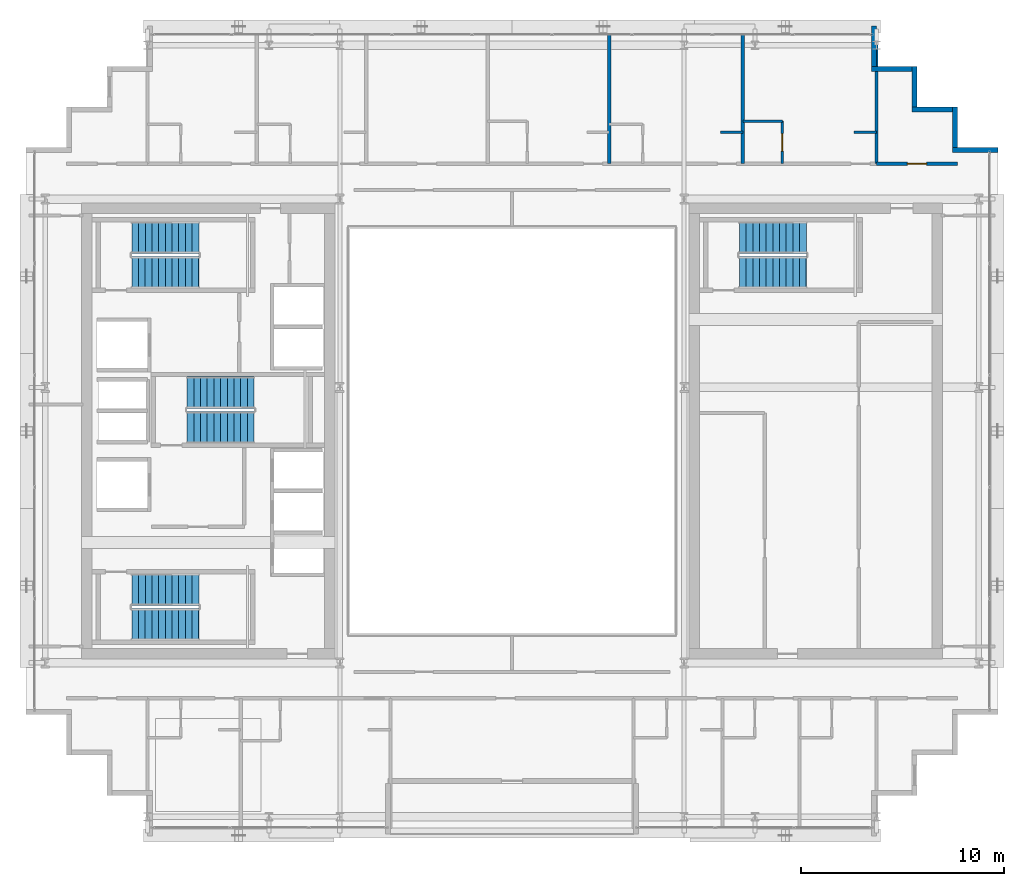
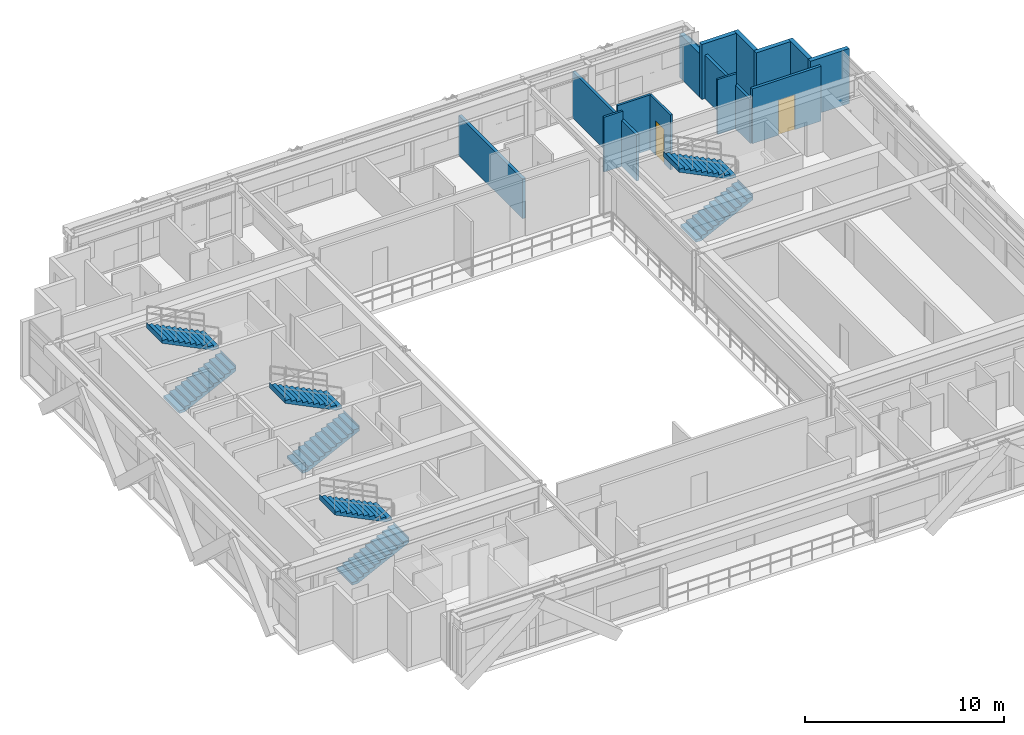
# One storey, part 27 of 31: 14 walls, 8 stair flights, 2 doors, 2 openings, 4 elements without a shape of their own.
"""IFC4 building model written with IfcOpenShell, lengths in metres."""

from ifc_helpers import new_model, si_unit, direction, frame, frame_2d, origin, place, context, subcontext, project, spatial, polyline, rectangle, outline, extrude, source, transform, mapped, material, layer, layer_set, type_object, element, fill, aggregate, save


model = new_model("IFC4")

# Units and contexts
model_context = context("Model", 3, precision=1e-05, world=origin(), true_north=direction((0.0, 1.0)))
body_context = subcontext(model_context, "Body", "Model", "MODEL_VIEW")
ifc_project = project(units=[si_unit("LENGTHUNIT", "METRE"), si_unit("AREAUNIT", "SQUARE_METRE"), si_unit("VOLUMEUNIT", "CUBIC_METRE"), si_unit("PLANEANGLEUNIT", "RADIAN"), si_unit("MASSUNIT", "GRAM", prefix="KILO")], contexts=[model_context])

# Site, building, storey
site_placement = place(None, origin())
site = spatial("IfcSite", under=ifc_project, at=site_placement, CompositionType="ELEMENT")
building_placement = place(site_placement, origin())
building = spatial("IfcBuilding", under=site, at=building_placement, Name="Ocotamira Hotel", CompositionType="ELEMENT")
storey_placement = place(building_placement, frame((0.0, 0.0, 202.800048828125)))
storey = spatial("IfcBuildingStorey", under=building, at=storey_placement, Name="L51", CompositionType="ELEMENT", Elevation=202.800048828125)

# Walls
ifc_material_1 = material(Name="Precast concrete C45/55", Category="concrete")
ifc_layer_1 = layer(ifc_material_1, 0.25)
ifc_layer_set_1 = layer_set([ifc_layer_1], Name="Precast concrete C45/55")
wall_type_1 = type_object("IfcWallType", Name="WL-EXT-SER-250", PredefinedType="SOLIDWALL", material=ifc_layer_set_1)
wall_1_placement = place(storey_placement, frame((56.0, 39.875, 0.0), z_axis=(0.0, 0.0, 1.0), x_axis=(-1.0, 0.0, 0.0)))
element("IfcWall", 1, at=wall_1_placement, inside=storey, type_object=wall_type_1, Name="L51 Serrated Corner Wall 07", PredefinedType="SOLIDWALL", context=body_context, shape_type="SweptSolid", body=[
    extrude(rectangle(XDim=2.25, YDim=0.25, at=frame_2d((1.125, 0.0))), origin(), (0.0, 0.0, 1.0), 3.369873046875),
])
for number, where, z_axis, x_axis, name in (
    (2, (53.875, 40.0, 0.0), (0.0, 0.0, 1.0), (0.0, 1.0, 0.0), "L51 Serrated Corner Wall 08"),
    (3, (53.75, 41.875, 0.0), (0.0, 0.0, 1.0), (-1.0, 0.0, 0.0), "L51 Serrated Corner Wall 09"),
    (4, (51.875, 42.0, 0.0), (0.0, 0.0, 1.0), (0.0, 1.0, 0.0), "L51 Serrated Corner Wall 10"),
    (5, (51.75, 43.875, 0.0), (0.0, 0.0, 1.0), (-1.0, 0.0, 0.0), "L51 Serrated Corner Wall 11"),
):
    element("IfcWall", number, at=place(storey_placement, frame(where, z_axis=z_axis, x_axis=x_axis)), inside=storey, type_object=wall_type_1, Name=name, PredefinedType="SOLIDWALL", context=body_context, shape_type="SweptSolid", body=[
        extrude(rectangle(XDim=2.0, YDim=0.25, at=frame_2d((1.0, 0.0))), origin(), (0.0, 0.0, 1.0), 3.369873046875),
    ])
wall_2_placement = place(storey_placement, frame((49.875, 44.0, 0.0), z_axis=(0.0, 0.0, 1.0), x_axis=(0.0, 1.0, 0.0)))
element("IfcWall", 6, at=wall_2_placement, inside=storey, type_object=wall_type_1, Name="L51 Serrated Corner Wall 12", PredefinedType="SOLIDWALL", context=body_context, shape_type="SweptSolid", body=[
    extrude(rectangle(XDim=2.0, YDim=0.25, at=frame_2d((1.0, 0.0))), origin(), (0.0, 0.0, 1.0), 2.677001953125),
])

# Wall, opening, door
ifc_material_2 = material(Name="Acoustic double-layer fire gypsum board partition", Category="gypsum")
ifc_layer_2 = layer(ifc_material_2, 0.159912109375)
ifc_layer_set_2 = layer_set([ifc_layer_2], Name="Acoustic double-layer fire gypsum board partition")
wall_type_2 = type_object("IfcWallType", Name="WL-FIRE-160", PredefinedType="PARTITIONING", material=ifc_layer_set_2)
wall_3_placement = place(storey_placement, frame((50.0, 39.199951171875, 0.0), z_axis=(0.0, 0.0, 1.0), x_axis=(1.0, 0.0, 0.0)))
wall_3 = element("IfcWall", 7, at=wall_3_placement, inside=storey, type_object=wall_type_2, Name="L51 Interior Wall PW-L51-Z3E-CNE-CW", PredefinedType="PARTITIONING", context=body_context, shape_type="SweptSolid", body=[
    extrude(rectangle(XDim=4.0, YDim=0.159912109375, at=frame_2d((2.0, 0.0))), origin(), (0.0, 0.0, 1.0), 3.369873046875),
])
opening_1_placement = place(wall_3_placement, frame((1.52001953125, 0.0, 0.0)))
opening_1 = element("IfcOpeningElement", 8, at=opening_1_placement, cuts=wall_3, Name="Opening D-SV4", PredefinedType="OPENING", context=body_context, shape_type="SweptSolid", body=[
    extrude(rectangle(XDim=0.9599609375, YDim=2.14990234375, at=frame_2d((0.47998046875, 1.074951171875))), frame((0.0, 0.08984375, 0.0), z_axis=(0.0, -1.0, 0.0), x_axis=(1.0, 0.0, 0.0)), (0.0, 0.0, 1.0), 0.179931640625),
])
ifc_material_3 = material(Name="Fire-rated accessible walnut salon door", Category="wood")
door_type_1 = type_object("IfcDoorType", Name="DR-SERV-960", OperationType="NOTDEFINED", PredefinedType="DOOR", material=ifc_material_3)
shared_shape_1 = source(origin(), body_context, "Body", "SweptSolid", [
    extrude(rectangle(XDim=0.9599609375, YDim=2.14990234375, at=frame_2d((0.47998046875, 1.074951171875))), frame((0.0, 0.02490234375, 0.0), z_axis=(0.0, -1.0, 0.0), x_axis=(1.0, 0.0, 0.0)), (0.0, 0.0, 1.0), 0.050048828125),
])
door_1_placement = place(opening_1_placement, origin())
door_1 = element("IfcDoor", 9, at=door_1_placement, inside=storey, type_object=door_type_1, Name="L51 Door ID-L51-Z3E-CNE-CD [ID-L51-Z3E-CNE-CD]", OperationType="SINGLE_SWING_LEFT", OverallHeight=2.14990234375, OverallWidth=0.9599609375, PredefinedType="DOOR", context=body_context, shape_type="MappedRepresentation", body=[
    mapped(shared_shape_1, transform((0.0, 0.0, 0.0), scale=1.0)),
])
fill(opening_1, door_1)

# Wall
ifc_material_4 = material(Name="Moisture-resistant en-suite tile and gypsum partition", Category="gypsum")
ifc_layer_3 = layer(ifc_material_4, 0.1201171875)
ifc_layer_set_3 = layer_set([ifc_layer_3], Name="Moisture-resistant en-suite tile and gypsum partition")
wall_type_3 = type_object("IfcWallType", Name="WL-PART-120", PredefinedType="PARTITIONING", material=ifc_layer_set_3)
wall_4_placement = place(storey_placement, frame((42.300048828125, 40.75, 0.0), z_axis=(0.0, 0.0, 1.0), x_axis=(1.0, 0.0, 0.0)))
element("IfcWall", 10, at=wall_4_placement, inside=storey, type_object=wall_type_3, Name="L51 Interior Wall PW-L51-Z3EN-DRN5", PredefinedType="PARTITIONING", context=body_context, shape_type="SweptSolid", body=[
    extrude(rectangle(XDim=1.099853515625, YDim=0.1201171875, at=frame_2d((0.5498046875, 0.0))), origin(), (0.0, 0.0, 1.0), 3.369873046875),
])

# Wall, opening, door
wall_5_placement = place(storey_placement, frame((45.35009765625, 39.199951171875, 0.0), z_axis=(0.0, 0.0, 1.0), x_axis=(0.0, 1.0, 0.0)))
wall_5 = element("IfcWall", 11, at=wall_5_placement, inside=storey, type_object=wall_type_3, Name="L51 Interior Wall PW-L51-Z3EN-BAE6", PredefinedType="PARTITIONING", context=body_context, shape_type="SweptSolid", body=[
    extrude(rectangle(XDim=2.10009765625, YDim=0.1201171875, at=frame_2d((1.050048828125, 0.0))), origin(), (0.0, 0.0, 1.0), 3.369873046875),
])
opening_2_placement = place(wall_5_placement, frame((0.6201171875, 0.0, 0.0)))
opening_2 = element("IfcOpeningElement", 12, at=opening_2_placement, cuts=wall_5, Name="Opening D-BA1", PredefinedType="OPENING", context=body_context, shape_type="SweptSolid", body=[
    extrude(rectangle(XDim=0.860107421875, YDim=2.10009765625, at=frame_2d((0.43017578125, 1.050048828125))), frame((0.0, 0.070068359375, 0.0), z_axis=(0.0, -1.0, 0.0), x_axis=(1.0, 0.0, 0.0)), (0.0, 0.0, 1.0), 0.14013671875),
])
ifc_material_5 = material(Name="Moisture-sealed en-suite timber door", Category="wood")
door_type_2 = type_object("IfcDoorType", Name="DR-BATH-860", OperationType="NOTDEFINED", PredefinedType="DOOR", material=ifc_material_5)
shared_shape_2 = source(origin(), body_context, "Body", "SweptSolid", [
    extrude(rectangle(XDim=0.860107421875, YDim=2.10009765625, at=frame_2d((0.43017578125, 1.050048828125))), frame((0.0, 0.02490234375, 0.0), z_axis=(0.0, -1.0, 0.0), x_axis=(1.0, 0.0, 0.0)), (0.0, 0.0, 1.0), 0.050048828125),
])
door_2_placement = place(opening_2_placement, origin())
door_2 = element("IfcDoor", 13, at=door_2_placement, inside=storey, type_object=door_type_2, Name="L51 Door ID-L51-Z3EN-BAD6 [ID-L51-Z3EN-BAD6]", OperationType="SINGLE_SWING_LEFT", OverallHeight=2.10009765625, OverallWidth=0.860107421875, PredefinedType="DOOR", context=body_context, shape_type="MappedRepresentation", body=[
    mapped(shared_shape_2, transform((0.0, 0.0, 0.0), scale=1.0)),
])
fill(opening_2, door_2)

# Walls
wall_6_placement = place(storey_placement, frame((43.39990234375, 41.300048828125, 0.0), z_axis=(0.0, 0.0, 1.0), x_axis=(1.0, 0.0, 0.0)))
element("IfcWall", 14, at=wall_6_placement, inside=storey, type_object=wall_type_3, Name="L51 Interior Wall PW-L51-Z3EN-BAN6", PredefinedType="PARTITIONING", context=body_context, shape_type="SweptSolid", body=[
    extrude(rectangle(XDim=1.9501953125, YDim=0.1201171875, at=frame_2d((0.97509765625, 0.0))), origin(), (0.0, 0.0, 1.0), 3.369873046875),
])
wall_7_placement = place(storey_placement, frame((48.89990234375, 40.75, 0.0), z_axis=(0.0, 0.0, 1.0), x_axis=(1.0, 0.0, 0.0)))
element("IfcWall", 15, at=wall_7_placement, inside=storey, type_object=wall_type_3, Name="L51 Interior Wall PW-L51-Z3EN-DRN6", PredefinedType="PARTITIONING", context=body_context, shape_type="SweptSolid", body=[
    extrude(rectangle(XDim=1.10009765625, YDim=0.1201171875, at=frame_2d((0.550048828125, 0.0))), origin(), (0.0, 0.0, 1.0), 3.369873046875),
])
ifc_material_6 = material(Name="Acoustic double-stud hospitality gypsum partition", Category="gypsum")
ifc_layer_4 = layer(ifc_material_6, 0.159912109375)
ifc_layer_set_4 = layer_set([ifc_layer_4], Name="Acoustic double-stud hospitality gypsum partition")
wall_type_4 = type_object("IfcWallType", Name="WL-PART-160", PredefinedType="PARTITIONING", material=ifc_layer_set_4)
wall_8_placement = place(storey_placement, frame((50.0, 39.199951171875, 0.0), z_axis=(0.0, 0.0, 1.0), x_axis=(0.0, 1.0, 0.0)))
element("IfcWall", 16, at=wall_8_placement, inside=storey, type_object=wall_type_4, Name="L51 Interior Wall PW-L51-Z3EN-PWEND", PredefinedType="PARTITIONING", context=body_context, shape_type="SweptSolid", body=[
    extrude(rectangle(XDim=6.43994140625, YDim=0.159912109375, at=frame_2d((3.219970703125, 0.0))), origin(), (0.0, 0.0, 1.0), 2.677001953125),
])
wall_9_placement = place(storey_placement, frame((43.39990234375, 39.199951171875, 0.0), z_axis=(0.0, 0.0, 1.0), x_axis=(0.0, 1.0, 0.0)))
element("IfcWall", 17, at=wall_9_placement, inside=storey, type_object=wall_type_4, Name="L51 Interior Wall PW-L51-Z3EN-PW5", PredefinedType="PARTITIONING", context=body_context, shape_type="SweptSolid", body=[
    extrude(rectangle(XDim=6.43994140625, YDim=0.159912109375, at=frame_2d((3.219970703125, 0.0))), origin(), (0.0, 0.0, 1.0), 2.8330078125),
])
ifc_material_7 = material(Name="Double-stud suite party gypsum partition", Category="gypsum")
ifc_layer_5 = layer(ifc_material_7, 0.175048828125)
ifc_layer_set_5 = layer_set([ifc_layer_5], Name="Double-stud suite party gypsum partition")
wall_type_5 = type_object("IfcWallType", Name="WL-PART-175", PredefinedType="PARTITIONING", material=ifc_layer_set_5)
wall_10_placement = place(storey_placement, frame((36.800048828125, 39.199951171875, 0.0), z_axis=(0.0, 0.0, 1.0), x_axis=(0.0, 1.0, 0.0)))
element("IfcWall", 18, at=wall_10_placement, inside=storey, type_object=wall_type_5, Name="L51 Interior Wall PW-L51-Z3EN-PW4", PredefinedType="PARTITIONING", context=body_context, shape_type="SweptSolid", body=[
    extrude(rectangle(XDim=6.43994140625, YDim=0.175048828125, at=frame_2d((3.219970703125, 0.0))), origin(), (0.0, 0.0, 1.0), 2.44287109375),
])

# Stair, stair flights
ifc_material_8 = material(Name="Concrete C40/50", Category="concrete")
stair_type = type_object("IfcStairType", Name="ST-CORE-1560", PredefinedType="HALF_TURN_STAIR", material=ifc_material_8)
stair_1_placement = place(storey_placement, origin())
stair_1 = element("IfcStair", 19, at=stair_1_placement, inside=storey, type_object=stair_type, Name="L51 Exit Stair ST-1", PredefinedType="HALF_TURN_STAIR")
stair_flight_type = type_object("IfcStairFlightType", Name="STF-CORE-1560", PredefinedType="STRAIGHT", material=ifc_material_8)
shared_shape_3 = source(origin(), body_context, "Body", "SweptSolid", [
    extrude(outline(polyline([(-0.00390625, 0.0), (-0.00390625, 0.16357421875), (0.330078125, 0.16357421875), (0.330078125, 0.327392578125), (0.659912109375, 0.327392578125), (0.659912109375, 0.490966796875), (0.989990234375, 0.490966796875), (0.989990234375, 0.654541015625), (1.320068359375, 0.654541015625), (1.320068359375, 0.818115234375), (1.64990234375, 0.818115234375), (1.64990234375, 0.98193359375), (1.97998046875, 0.98193359375), (1.97998046875, 1.1455078125), (2.31005859375, 1.1455078125), (2.31005859375, 1.30908203125), (2.639892578125, 1.30908203125), (2.639892578125, 1.47265625), (2.969970703125, 1.47265625), (2.969970703125, 1.636474609375), (3.300048828125, 1.636474609375), (3.300048828125, 1.800048828125), (3.303955078125, 1.800048828125), (3.303955078125, 1.468994140625), (0.33740234375, 0.0), (-0.00390625, 0.0)])), frame((0.0, 0.780029296875, 0.0), z_axis=(0.0, -1.0, 0.0), x_axis=(1.0, 0.0, 0.0)), (0.0, 0.0, 1.0), 1.56005859375),
])
stair_flight_1_placement = place(storey_placement, frame((13.22998046875, 16.449951171875, 0.0), z_axis=(0.0, 0.0, 1.0), x_axis=(1.0, 0.0, 0.0)))
stair_flight_1 = element("IfcStairFlight", 20, at=stair_flight_1_placement, type_object=stair_flight_type, Name="ST-1 flight 1", NumberOfRisers=11, NumberOfTreads=10, PredefinedType="STRAIGHT", RiserHeight=0.163636364, TreadLength=0.33, context=body_context, shape_type="MappedRepresentation", body=[
    mapped(shared_shape_3, transform((0.0, 0.0, 0.0), scale=1.0)),
])
stair_flight_2_placement = place(storey_placement, frame((16.530029296875, 18.169921875, 1.800048828125), z_axis=(0.0, 0.0, 1.0), x_axis=(-1.0, 0.0, 0.0)))
stair_flight_2 = element("IfcStairFlight", 21, at=stair_flight_2_placement, type_object=stair_flight_type, Name="ST-1 flight 2", NumberOfRisers=11, NumberOfTreads=10, PredefinedType="STRAIGHT", RiserHeight=0.163636364, TreadLength=0.33, context=body_context, shape_type="MappedRepresentation", body=[
    mapped(shared_shape_3, transform((0.0, 0.0, 0.0), scale=1.0)),
])
aggregate(stair_1, [stair_flight_1, stair_flight_2])

stair_2_placement = place(storey_placement, origin())
stair_2 = element("IfcStair", 22, at=stair_2_placement, inside=storey, type_object=stair_type, Name="L51 Exit Stair ST-2", PredefinedType="HALF_TURN_STAIR")
stair_flight_3_placement = place(storey_placement, frame((13.22998046875, 33.830078125, 0.0), z_axis=(0.0, 0.0, 1.0), x_axis=(1.0, 0.0, 0.0)))
stair_flight_3 = element("IfcStairFlight", 23, at=stair_flight_3_placement, type_object=stair_flight_type, Name="ST-2 flight 1", NumberOfRisers=11, NumberOfTreads=10, PredefinedType="STRAIGHT", RiserHeight=0.163636364, TreadLength=0.33, context=body_context, shape_type="MappedRepresentation", body=[
    mapped(shared_shape_3, transform((0.0, 0.0, 0.0), scale=1.0)),
])
stair_flight_4_placement = place(storey_placement, frame((16.530029296875, 35.550048828125, 1.800048828125), z_axis=(0.0, 0.0, 1.0), x_axis=(-1.0, 0.0, 0.0)))
stair_flight_4 = element("IfcStairFlight", 24, at=stair_flight_4_placement, type_object=stair_flight_type, Name="ST-2 flight 2", NumberOfRisers=11, NumberOfTreads=10, PredefinedType="STRAIGHT", RiserHeight=0.163636364, TreadLength=0.33, context=body_context, shape_type="MappedRepresentation", body=[
    mapped(shared_shape_3, transform((0.0, 0.0, 0.0), scale=1.0)),
])
aggregate(stair_2, [stair_flight_3, stair_flight_4])

stair_3_placement = place(storey_placement, origin())
stair_3 = element("IfcStair", 25, at=stair_3_placement, inside=storey, type_object=stair_type, Name="L51 Exit Stair ST-3", PredefinedType="HALF_TURN_STAIR")
stair_flight_5_placement = place(storey_placement, frame((15.9599609375, 26.179931640625, 0.0), z_axis=(0.0, 0.0, 1.0), x_axis=(1.0, 0.0, 0.0)))
stair_flight_5 = element("IfcStairFlight", 26, at=stair_flight_5_placement, type_object=stair_flight_type, Name="ST-3 flight 1", NumberOfRisers=11, NumberOfTreads=10, PredefinedType="STRAIGHT", RiserHeight=0.163636364, TreadLength=0.33, context=body_context, shape_type="MappedRepresentation", body=[
    mapped(shared_shape_3, transform((0.0, 0.0, 0.0), scale=1.0)),
])
stair_flight_6_placement = place(storey_placement, frame((19.260009765625, 27.89990234375, 1.800048828125), z_axis=(0.0, 0.0, 1.0), x_axis=(-1.0, 0.0, 0.0)))
stair_flight_6 = element("IfcStairFlight", 27, at=stair_flight_6_placement, type_object=stair_flight_type, Name="ST-3 flight 2", NumberOfRisers=11, NumberOfTreads=10, PredefinedType="STRAIGHT", RiserHeight=0.163636364, TreadLength=0.33, context=body_context, shape_type="MappedRepresentation", body=[
    mapped(shared_shape_3, transform((0.0, 0.0, 0.0), scale=1.0)),
])
aggregate(stair_3, [stair_flight_5, stair_flight_6])

stair_4_placement = place(storey_placement, origin())
stair_4 = element("IfcStair", 28, at=stair_4_placement, inside=storey, type_object=stair_type, Name="L51 Exit Stair ST-4", PredefinedType="HALF_TURN_STAIR")
stair_flight_7_placement = place(storey_placement, frame((43.22998046875, 33.830078125, 0.0), z_axis=(0.0, 0.0, 1.0), x_axis=(1.0, 0.0, 0.0)))
stair_flight_7 = element("IfcStairFlight", 29, at=stair_flight_7_placement, type_object=stair_flight_type, Name="ST-4 flight 1", NumberOfRisers=11, NumberOfTreads=10, PredefinedType="STRAIGHT", RiserHeight=0.163636364, TreadLength=0.33, context=body_context, shape_type="MappedRepresentation", body=[
    mapped(shared_shape_3, transform((0.0, 0.0, 0.0), scale=1.0)),
])
stair_flight_8_placement = place(storey_placement, frame((46.530029296875, 35.550048828125, 1.800048828125), z_axis=(0.0, 0.0, 1.0), x_axis=(-1.0, 0.0, 0.0)))
stair_flight_8 = element("IfcStairFlight", 30, at=stair_flight_8_placement, type_object=stair_flight_type, Name="ST-4 flight 2", NumberOfRisers=11, NumberOfTreads=10, PredefinedType="STRAIGHT", RiserHeight=0.163636364, TreadLength=0.33, context=body_context, shape_type="MappedRepresentation", body=[
    mapped(shared_shape_3, transform((0.0, 0.0, 0.0), scale=1.0)),
])
aggregate(stair_4, [stair_flight_7, stair_flight_8])

save(model, "model.ifc")
